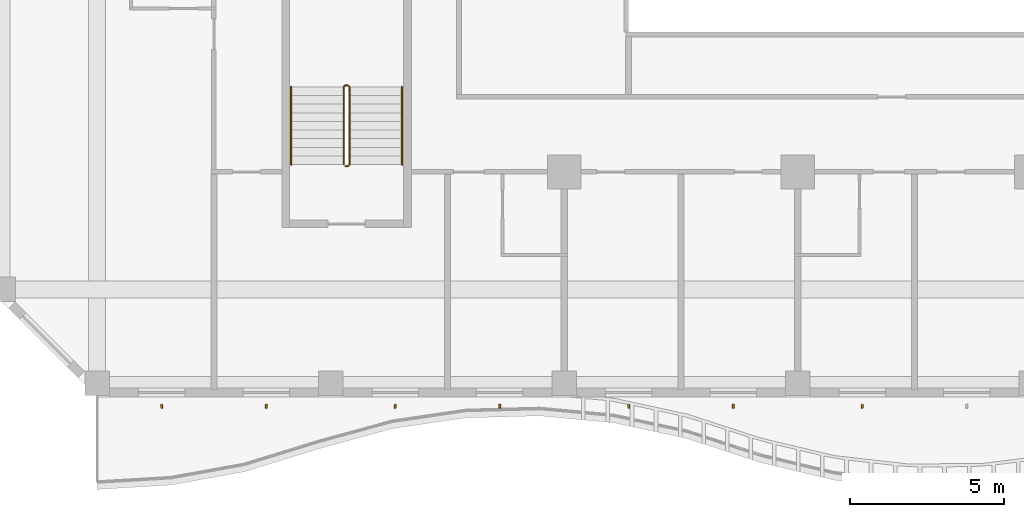
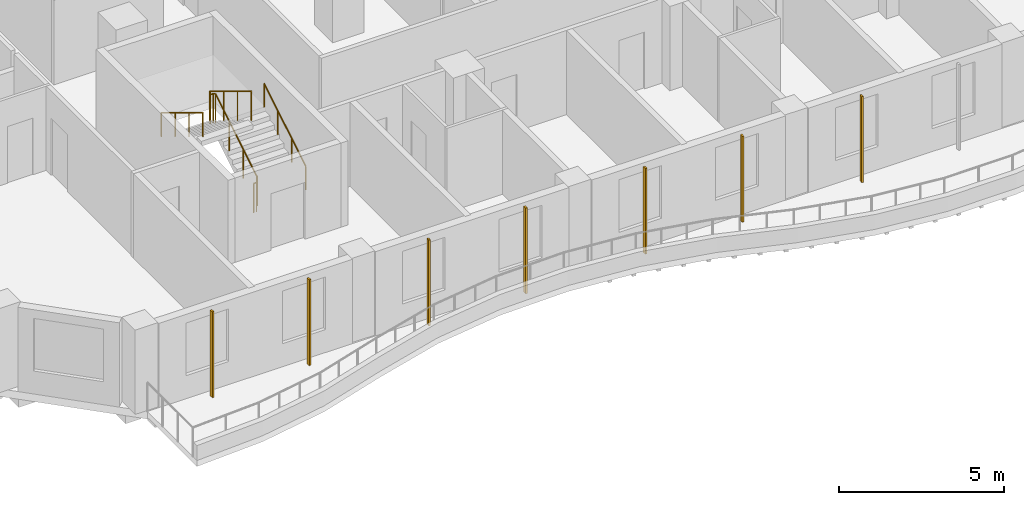
# One storey, part 14 of 21: 7 shading devices, 3 railings.
"""IFC4 building model written with IfcOpenShell, lengths in metres."""

from ifc_helpers import new_model, si_unit, direction, frame, origin, origin_2d, place, context, subcontext, project, spatial, rectangle, circle, extrude, source, transform, mapped, material, material_profile, profile_set, type_object, element, save


model = new_model("IFC4")

# Units and contexts
model_context = context("Model", 3, precision=1e-05, world=origin(), true_north=direction((0.0, 1.0)))
body_context = subcontext(model_context, "Body", "Model", "MODEL_VIEW")
ifc_project = project(units=[si_unit("LENGTHUNIT", "METRE"), si_unit("AREAUNIT", "SQUARE_METRE"), si_unit("VOLUMEUNIT", "CUBIC_METRE"), si_unit("PLANEANGLEUNIT", "RADIAN"), si_unit("MASSUNIT", "GRAM", prefix="KILO")], contexts=[model_context])

# Site, building, storey
site_placement = place(None, origin())
site = spatial("IfcSite", under=ifc_project, at=site_placement, CompositionType="ELEMENT")
building_placement = place(site_placement, origin())
building = spatial("IfcBuilding", under=site, at=building_placement, Name="Kilnfold Tower and Market Hall", CompositionType="ELEMENT")
storey_placement = place(building_placement, frame((0.0, 0.0, 147.300048828125)))
storey = spatial("IfcBuildingStorey", under=building, at=storey_placement, Name="L33", CompositionType="ELEMENT", Elevation=147.300048828125)

# Railings
ifc_material_1 = material(Name="Stainless steel 316", Category="steel")
railing_type_1 = type_object("IfcRailingType", Name="CORE STAIR GUARD 1100", PredefinedType="GUARDRAIL", material=ifc_material_1)
railing_1_placement = place(storey_placement, frame((-15.699951171875, -13.75, 0.0)))
element("IfcRailing", 1, at=railing_1_placement, inside=storey, type_object=railing_type_1, Name="L33 ST3 stair guard 1", PredefinedType="GUARDRAIL", context=body_context, shape_type="SweptSolid", body=[
    extrude(circle(Radius=0.02392578125, at=origin_2d()), frame((0.0, 0.0, 1.076171875), z_axis=(1.0, 0.0, 0.0), x_axis=(0.0, 1.0, 0.0)), (0.0, 0.0, 1.0), 0.099853515625),
    extrude(circle(Radius=0.02392578125, at=origin_2d()), frame((0.099853515625, 0.0, 1.076171875), z_axis=(0.271895245746, 0.271895245746, 0.923117517265), x_axis=(-0.707106781187, 0.707106781187, 0.0)), (0.0, 0.0, 1.0), 0.18408203125),
    extrude(circle(Radius=0.02392578125, at=origin_2d()), frame((0.14990234375, 0.050048828125, 1.24609375), z_axis=(0.0, 0.85478489116, 0.518982456201), x_axis=(-1.0, 0.0, 0.0)), (0.0, 0.0, 1.0), 2.9482421875),
    extrude(circle(Radius=0.02392578125, at=origin_2d()), frame((0.14990234375, 2.570068359375, 2.77587890625), z_axis=(-0.707106781187, 0.707106781187, 0.0), x_axis=(-0.707106781187, -0.707106781187, 0.0)), (0.0, 0.0, 1.0), 0.07080078125),
    extrude(circle(Radius=0.02392578125, at=origin_2d()), frame((0.099853515625, 2.6201171875, 2.77587890625), z_axis=(-1.0, 0.0, 0.0), x_axis=(0.0, -1.0, 0.0)), (0.0, 0.0, 1.0), 0.099853515625),
    extrude(circle(Radius=0.02392578125, at=origin_2d()), frame((0.0, 2.6201171875, 2.77587890625), z_axis=(-0.271895245746, -0.271895245746, 0.923117517265), x_axis=(0.707106781187, -0.707106781187, 0.0)), (0.0, 0.0, 1.0), 0.18408203125),
    extrude(circle(Radius=0.02392578125, at=origin_2d()), frame((-0.050048828125, 2.570068359375, 2.94580078125), z_axis=(0.0, -0.85478489116, 0.518982456201), x_axis=(1.0, 0.0, 0.0)), (0.0, 0.0, 1.0), 2.9482421875),
    extrude(circle(Radius=0.02099609375, at=origin_2d()), origin(), (0.0, 0.0, 1.0), 1.052001953125),
    extrude(circle(Radius=0.02099609375, at=origin_2d()), frame((0.099853515625, 0.0, 0.0)), (0.0, 0.0, 1.0), 1.052001953125),
    extrude(circle(Radius=0.02099609375, at=origin_2d()), frame((0.14990234375, 0.050048828125, 0.169921875)), (0.0, 0.0, 1.0), 1.052001953125),
    extrude(circle(Radius=0.02099609375, at=origin_2d()), frame((0.14990234375, 0.89013671875, 0.679931640625)), (0.0, 0.0, 1.0), 1.052001953125),
    extrude(circle(Radius=0.02099609375, at=origin_2d()), frame((0.14990234375, 1.72998046875, 1.18994140625)), (0.0, 0.0, 1.0), 1.052001953125),
    extrude(circle(Radius=0.02099609375, at=origin_2d()), frame((0.14990234375, 2.570068359375, 1.699951171875)), (0.0, 0.0, 1.0), 1.052001953125),
    extrude(circle(Radius=0.02099609375, at=origin_2d()), frame((0.099853515625, 2.6201171875, 1.699951171875)), (0.0, 0.0, 1.0), 1.052001953125),
    extrude(circle(Radius=0.02099609375, at=origin_2d()), frame((0.0, 2.6201171875, 1.699951171875)), (0.0, 0.0, 1.0), 1.052001953125),
    extrude(circle(Radius=0.02099609375, at=origin_2d()), frame((-0.050048828125, 2.570068359375, 1.869873046875)), (0.0, 0.0, 1.0), 1.052001953125),
    extrude(circle(Radius=0.02099609375, at=origin_2d()), frame((-0.050048828125, 1.72998046875, 2.3798828125)), (0.0, 0.0, 1.0), 1.052001953125),
    extrude(circle(Radius=0.02099609375, at=origin_2d()), frame((-0.050048828125, 0.89013671875, 2.889892578125)), (0.0, 0.0, 1.0), 1.052001953125),
    extrude(circle(Radius=0.02099609375, at=origin_2d()), frame((-0.050048828125, 0.050048828125, 3.39990234375)), (0.0, 0.0, 1.0), 1.052001953125),
])
ifc_material_2 = material(Name="Stainless steel 316", Category="steel")
railing_type_2 = type_object("IfcRailingType", Name="CORE STAIR HANDRAIL 900", PredefinedType="HANDRAIL", material=ifc_material_2)
railing_2_placement = place(storey_placement, frame((-13.85009765625, -13.699951171875, 0.169921875)))
element("IfcRailing", 2, at=railing_2_placement, inside=storey, type_object=railing_type_2, Name="L33 ST3 stair handrail 1", PredefinedType="HANDRAIL", context=body_context, shape_type="SweptSolid", body=[
    extrude(circle(Radius=0.02392578125, at=origin_2d()), frame((0.0, 0.0, 0.8759765625), z_axis=(0.0, 0.85478489116, 0.518982456201), x_axis=(-1.0, 0.0, 0.0)), (0.0, 0.0, 1.0), 2.9482421875),
    extrude(circle(Radius=0.02099609375, at=origin_2d()), origin(), (0.0, 0.0, 1.0), 0.851806640625),
    extrude(circle(Radius=0.02099609375, at=origin_2d()), frame((0.0, 0.840087890625, 0.510009765625)), (0.0, 0.0, 1.0), 0.851806640625),
    extrude(circle(Radius=0.02099609375, at=origin_2d()), frame((0.0, 1.679931640625, 1.02001953125)), (0.0, 0.0, 1.0), 0.851806640625),
    extrude(circle(Radius=0.02099609375, at=origin_2d()), frame((0.0, 2.52001953125, 1.530029296875)), (0.0, 0.0, 1.0), 0.851806640625),
])
railing_3_placement = place(storey_placement, frame((-17.449951171875, -11.179931640625, 1.869873046875)))
element("IfcRailing", 3, at=railing_3_placement, inside=storey, type_object=railing_type_2, Name="L33 ST3 stair handrail 2", PredefinedType="HANDRAIL", context=body_context, shape_type="SweptSolid", body=[
    extrude(circle(Radius=0.02392578125, at=origin_2d()), frame((0.0, 0.0, 0.8759765625), z_axis=(0.0, -0.85478489116, 0.518982456201), x_axis=(1.0, 0.0, 0.0)), (0.0, 0.0, 1.0), 2.9482421875),
    extrude(circle(Radius=0.02099609375, at=origin_2d()), origin(), (0.0, 0.0, 1.0), 0.851806640625),
    extrude(circle(Radius=0.02099609375, at=origin_2d()), frame((0.0, -0.840087890625, 0.510009765625)), (0.0, 0.0, 1.0), 0.851806640625),
    extrude(circle(Radius=0.02099609375, at=origin_2d()), frame((0.0, -1.679931640625, 1.02001953125)), (0.0, 0.0, 1.0), 0.851806640625),
    extrude(circle(Radius=0.02099609375, at=origin_2d()), frame((0.0, -2.52001953125, 1.530029296875)), (0.0, 0.0, 1.0), 0.851806640625),
])

# Shading devices
ifc_material_3 = material(Name="Terracotta", Category="masonry")
ifc_material_profile = material_profile(ifc_material_3, rectangle(XDim=0.06005859375, YDim=0.1201171875, at=origin_2d()), Name="BAG 60x120")
ifc_profile_set = profile_set([ifc_material_profile], Name="Terracotta")
shading_device_type = type_object("IfcShadingDeviceType", Name="BAGUETTE", PredefinedType="USERDEFINED", material=ifc_profile_set)
shared_shape = source(origin(), body_context, "Body", "SweptSolid", [
    extrude(rectangle(XDim=0.06005859375, YDim=0.1201171875, at=origin_2d()), origin(), (0.0, 0.0, 1.0), 3.179931640625),
])
for number, where, z_axis, x_axis, name in (
    (4, (-21.654296875, -21.550048828125, 0.0), (0.0, 0.0, 1.0), (0.991034340475, 0.133607394999, 0.0), "Terracotta baguette L33 S"),
    (5, (-18.2626953125, -21.550048828125, 0.0), (0.0, 0.0, 1.0), (0.998957066349, 0.045659386663, 0.0), "Terracotta baguette L33 S"),
    (6, (-14.07080078125, -21.550048828125, 0.0), (0.0, 0.0, 1.0), (0.990273169037, -0.139136805646, 0.0), "Terracotta baguette L33 S"),
    (7, (-10.67919921875, -21.550048828125, 0.0), (0.0, 0.0, 1.0), (0.999950358919, -0.009963919823, 0.0), "Terracotta baguette L33 S"),
    (8, (-6.4873046875, -21.550048828125, 0.0), (0.0, 0.0, 1.0), (0.99081262911, 0.135241761288, 0.0), "Terracotta baguette L33 S"),
    (9, (-3.095703125, -21.550048828125, 0.0), (0.0, 0.0, 1.0), (0.99965094501, -0.026419465168, 0.0), "Terracotta baguette L33 S"),
    (10, (1.095703125, -21.550048828125, 0.0), (0.0, 0.0, 1.0), (0.992508456004, -0.122175958195, 0.0), "Terracotta baguette L33 S"),
):
    element("IfcShadingDevice", number, at=place(storey_placement, frame(where, z_axis=z_axis, x_axis=x_axis)), inside=storey, type_object=shading_device_type, Name=name, ObjectType="BAGUETTE", PredefinedType="USERDEFINED", context=body_context, shape_type="MappedRepresentation", body=[
        mapped(shared_shape, transform((0.0, 0.0, 0.0))),
    ])

save(model, "model.ifc")
